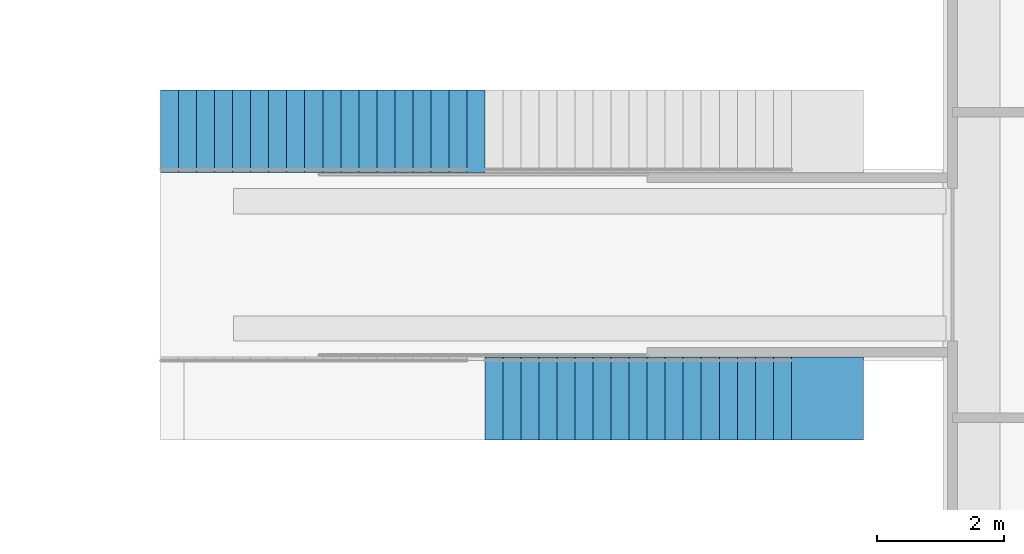
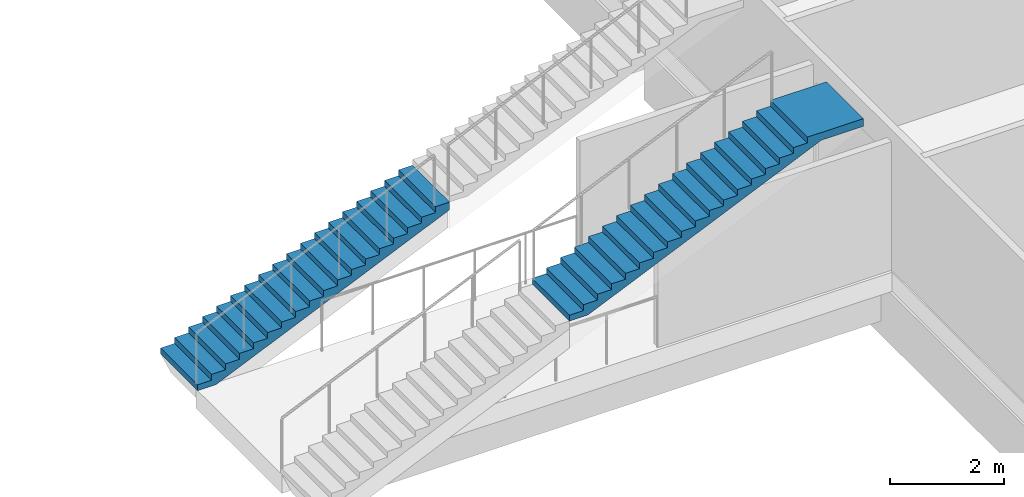
# One storey, part 98 of 175: 2 stair flights, 2 elements without a shape of their own.
"""IFC4 building model written with IfcOpenShell, lengths in metres."""

from ifc_helpers import new_model, si_unit, direction, frame, origin, place, context, subcontext, project, spatial, faceted_brep, material, type_object, element, aggregate, save


model = new_model("IFC4")

# Units and contexts
model_context = context("Model", 3, precision=1e-05, world=origin(), true_north=direction((0.0, 1.0)))
body_context = subcontext(model_context, "Body", "Model", "MODEL_VIEW")
ifc_project = project(units=[si_unit("LENGTHUNIT", "METRE"), si_unit("AREAUNIT", "SQUARE_METRE"), si_unit("VOLUMEUNIT", "CUBIC_METRE"), si_unit("PLANEANGLEUNIT", "RADIAN"), si_unit("MASSUNIT", "GRAM", prefix="KILO")], contexts=[model_context])

# Site, building, storey
site_placement = place(None, origin())
site = spatial("IfcSite", under=ifc_project, at=site_placement, CompositionType="ELEMENT")
building_placement = place(site_placement, origin())
building = spatial("IfcBuilding", under=site, at=building_placement, Name="Ogive Plaza Stadium", CompositionType="ELEMENT")
storey_placement = place(building_placement, origin())
storey = spatial("IfcBuildingStorey", under=building, at=storey_placement, Name="L00", CompositionType="ELEMENT", Elevation=0.0)

# Stair, stair flight
ifc_material_1 = material(Name="Concrete C40/50", Category="concrete")
stair_type = type_object("IfcStairType", Name="Aisle stair", PredefinedType="STRAIGHT_RUN_STAIR", material=ifc_material_1)
stair_1_placement = place(storey_placement, origin())
stair_1 = element("IfcStair", 1, at=stair_1_placement, inside=storey, type_object=stair_type, Name="Aisle stair SA05L", PredefinedType="STRAIGHT_RUN_STAIR")
ifc_material_2 = material(Name="Concrete C40/50", Category="concrete")
stair_flight_type = type_object("IfcStairFlightType", Name="Aisle stair flight", PredefinedType="STRAIGHT", material=ifc_material_2)
stair_flight_1_placement = place(storey_placement, frame((54.25, -17.10009765625, 2.25), z_axis=(0.0, 0.0, 1.0), x_axis=(1.0, 0.0, 0.0)))
stair_flight_1 = element("IfcStairFlight", 2, at=stair_flight_1_placement, type_object=stair_flight_type, Name="SA05L flight 2", NumberOfRisers=18, NumberOfTreads=17, PredefinedType="STRAIGHT", RiserHeight=0.125, TreadLength=0.283333333, context=body_context, shape_type="Brep", body=[
    faceted_brep([(0.371337890625, -0.64990234375, 0.0), (5.10009765625, -0.64990234375, 2.086181640625), (5.949951171875, -0.64990234375, 2.086181640625), (5.949951171875, -0.64990234375, 2.25), (4.816650390625, -0.64990234375, 2.25), (4.816650390625, -0.64990234375, 2.125), (4.533447265625, -0.64990234375, 2.125), (4.533447265625, -0.64990234375, 2.0), (4.25, -0.64990234375, 2.0), (4.25, -0.64990234375, 1.875), (3.966552734375, -0.64990234375, 1.875), (3.966552734375, -0.64990234375, 1.75), (3.683349609375, -0.64990234375, 1.75), (3.683349609375, -0.64990234375, 1.625), (3.39990234375, -0.64990234375, 1.625), (3.39990234375, -0.64990234375, 1.5), (3.11669921875, -0.64990234375, 1.5), (3.11669921875, -0.64990234375, 1.375), (2.833251953125, -0.64990234375, 1.375), (2.833251953125, -0.64990234375, 1.25), (2.550048828125, -0.64990234375, 1.25), (2.550048828125, -0.64990234375, 1.125), (2.2666015625, -0.64990234375, 1.125), (2.2666015625, -0.64990234375, 1.0), (1.9833984375, -0.64990234375, 1.0), (1.9833984375, -0.64990234375, 0.875), (1.699951171875, -0.64990234375, 0.875), (1.699951171875, -0.64990234375, 0.75), (1.416748046875, -0.64990234375, 0.75), (1.416748046875, -0.64990234375, 0.625), (1.13330078125, -0.64990234375, 0.625), (1.13330078125, -0.64990234375, 0.5), (0.85009765625, -0.64990234375, 0.5), (0.85009765625, -0.64990234375, 0.375), (0.566650390625, -0.64990234375, 0.375), (0.566650390625, -0.64990234375, 0.25), (0.283447265625, -0.64990234375, 0.25), (0.283447265625, -0.64990234375, 0.125), (0.0, -0.64990234375, 0.125), (0.0, -0.64990234375, 0.0), (0.0, 0.64990234375, 0.0), (0.0, 0.64990234375, 0.125), (0.283447265625, 0.64990234375, 0.125), (0.283447265625, 0.64990234375, 0.25), (0.566650390625, 0.64990234375, 0.25), (0.566650390625, 0.64990234375, 0.375), (0.85009765625, 0.64990234375, 0.375), (0.85009765625, 0.64990234375, 0.5), (1.13330078125, 0.64990234375, 0.5), (1.13330078125, 0.64990234375, 0.625), (1.416748046875, 0.64990234375, 0.625), (1.416748046875, 0.64990234375, 0.75), (1.699951171875, 0.64990234375, 0.75), (1.699951171875, 0.64990234375, 0.875), (1.9833984375, 0.64990234375, 0.875), (1.9833984375, 0.64990234375, 1.0), (2.2666015625, 0.64990234375, 1.0), (2.2666015625, 0.64990234375, 1.125), (2.550048828125, 0.64990234375, 1.125), (2.550048828125, 0.64990234375, 1.25), (2.833251953125, 0.64990234375, 1.25), (2.833251953125, 0.64990234375, 1.375), (3.11669921875, 0.64990234375, 1.375), (3.11669921875, 0.64990234375, 1.5), (3.39990234375, 0.64990234375, 1.5), (3.39990234375, 0.64990234375, 1.625), (3.683349609375, 0.64990234375, 1.625), (3.683349609375, 0.64990234375, 1.75), (3.966552734375, 0.64990234375, 1.75), (3.966552734375, 0.64990234375, 1.875), (4.25, 0.64990234375, 1.875), (4.25, 0.64990234375, 2.0), (4.533447265625, 0.64990234375, 2.0), (4.533447265625, 0.64990234375, 2.125), (4.816650390625, 0.64990234375, 2.125), (4.816650390625, 0.64990234375, 2.25), (5.949951171875, 0.64990234375, 2.25), (5.949951171875, 0.64990234375, 2.086181640625), (5.10009765625, 0.64990234375, 2.086181640625), (0.371337890625, 0.64990234375, 0.0), (0.371337890625, -0.324951171875, 0.0), (5.10009765625, -0.324951171875, 2.086181640625), (0.371337890625, 0.0, 0.0), (5.10009765625, 0.0, 2.086181640625), (0.371337890625, 0.324951171875, 0.0), (5.10009765625, 0.324951171875, 2.086181640625), (5.949951171875, -0.324951171875, 2.086181640625), (5.949951171875, 0.0, 2.086181640625), (5.949951171875, 0.324951171875, 2.086181640625), (5.949951171875, -0.324951171875, 2.25), (5.949951171875, 0.0, 2.25), (5.949951171875, 0.324951171875, 2.25), (4.816650390625, -0.324951171875, 2.25), (4.816650390625, 0.0, 2.25), (4.816650390625, 0.324951171875, 2.25), (4.816650390625, -0.324951171875, 2.125), (4.816650390625, 0.0, 2.125), (4.816650390625, 0.324951171875, 2.125), (4.533447265625, -0.324951171875, 2.125), (4.533447265625, 0.0, 2.125), (4.533447265625, 0.324951171875, 2.125), (4.533447265625, -0.324951171875, 2.0), (4.533447265625, 0.0, 2.0), (4.533447265625, 0.324951171875, 2.0), (4.25, -0.324951171875, 2.0), (4.25, 0.0, 2.0), (4.25, 0.324951171875, 2.0), (4.25, -0.324951171875, 1.875), (4.25, 0.0, 1.875), (4.25, 0.324951171875, 1.875), (3.966552734375, -0.324951171875, 1.875), (3.966552734375, 0.0, 1.875), (3.966552734375, 0.324951171875, 1.875), (3.966552734375, -0.324951171875, 1.75), (3.966552734375, 0.0, 1.75), (3.966552734375, 0.324951171875, 1.75), (3.683349609375, -0.324951171875, 1.75), (3.683349609375, 0.0, 1.75), (3.683349609375, 0.324951171875, 1.75), (3.683349609375, -0.324951171875, 1.625), (3.683349609375, 0.0, 1.625), (3.683349609375, 0.324951171875, 1.625), (3.39990234375, -0.324951171875, 1.625), (3.39990234375, 0.0, 1.625), (3.39990234375, 0.324951171875, 1.625), (3.39990234375, -0.324951171875, 1.5), (3.39990234375, 0.0, 1.5), (3.39990234375, 0.324951171875, 1.5), (3.11669921875, -0.324951171875, 1.5), (3.11669921875, 0.0, 1.5), (3.11669921875, 0.324951171875, 1.5), (3.11669921875, -0.324951171875, 1.375), (3.11669921875, 0.0, 1.375), (3.11669921875, 0.324951171875, 1.375), (2.833251953125, -0.324951171875, 1.375), (2.833251953125, 0.0, 1.375), (2.833251953125, 0.324951171875, 1.375), (2.833251953125, -0.324951171875, 1.25), (2.833251953125, 0.0, 1.25), (2.833251953125, 0.324951171875, 1.25), (2.550048828125, -0.324951171875, 1.25), (2.550048828125, 0.0, 1.25), (2.550048828125, 0.324951171875, 1.25), (2.550048828125, -0.324951171875, 1.125), (2.550048828125, 0.0, 1.125), (2.550048828125, 0.324951171875, 1.125), (2.2666015625, -0.324951171875, 1.125), (2.2666015625, 0.0, 1.125), (2.2666015625, 0.324951171875, 1.125), (2.2666015625, -0.324951171875, 1.0), (2.2666015625, 0.0, 1.0), (2.2666015625, 0.324951171875, 1.0), (1.9833984375, -0.324951171875, 1.0), (1.9833984375, 0.0, 1.0), (1.9833984375, 0.324951171875, 1.0), (1.9833984375, -0.324951171875, 0.875), (1.9833984375, 0.0, 0.875), (1.9833984375, 0.324951171875, 0.875), (1.699951171875, -0.324951171875, 0.875), (1.699951171875, 0.0, 0.875), (1.699951171875, 0.324951171875, 0.875), (1.699951171875, -0.324951171875, 0.75), (1.699951171875, 0.0, 0.75), (1.699951171875, 0.324951171875, 0.75), (1.416748046875, -0.324951171875, 0.75), (1.416748046875, 0.0, 0.75), (1.416748046875, 0.324951171875, 0.75), (1.416748046875, -0.324951171875, 0.625), (1.416748046875, 0.0, 0.625), (1.416748046875, 0.324951171875, 0.625), (1.13330078125, -0.324951171875, 0.625), (1.13330078125, 0.0, 0.625), (1.13330078125, 0.324951171875, 0.625), (1.13330078125, -0.324951171875, 0.5), (1.13330078125, 0.0, 0.5), (1.13330078125, 0.324951171875, 0.5), (0.85009765625, -0.324951171875, 0.5), (0.85009765625, 0.0, 0.5), (0.85009765625, 0.324951171875, 0.5), (0.85009765625, -0.324951171875, 0.375), (0.85009765625, 0.0, 0.375), (0.85009765625, 0.324951171875, 0.375), (0.566650390625, -0.324951171875, 0.375), (0.566650390625, 0.0, 0.375), (0.566650390625, 0.324951171875, 0.375), (0.566650390625, -0.324951171875, 0.25), (0.566650390625, 0.0, 0.25), (0.566650390625, 0.324951171875, 0.25), (0.283447265625, -0.324951171875, 0.25), (0.283447265625, 0.0, 0.25), (0.283447265625, 0.324951171875, 0.25), (0.283447265625, -0.324951171875, 0.125), (0.283447265625, 0.0, 0.125), (0.283447265625, 0.324951171875, 0.125), (0.0, -0.324951171875, 0.125), (0.0, 0.0, 0.125), (0.0, 0.324951171875, 0.125), (0.0, -0.324951171875, 0.0), (0.0, 0.0, 0.0), (0.0, 0.324951171875, 0.0)], [[[0, 1, 2, 3, 4, 5, 6, 7, 8, 9, 10, 11, 12, 13, 14, 15, 16, 17, 18, 19, 20, 21, 22, 23, 24, 25, 26, 27, 28, 29, 30, 31, 32, 33, 34, 35, 36, 37, 38, 39]], [[40, 41, 42, 43, 44, 45, 46, 47, 48, 49, 50, 51, 52, 53, 54, 55, 56, 57, 58, 59, 60, 61, 62, 63, 64, 65, 66, 67, 68, 69, 70, 71, 72, 73, 74, 75, 76, 77, 78, 79]], [[0, 80, 81, 1]], [[80, 82, 83, 81]], [[82, 84, 85, 83]], [[84, 79, 78, 85]], [[1, 81, 86, 2]], [[81, 83, 87, 86]], [[83, 85, 88, 87]], [[85, 78, 77, 88]], [[2, 86, 89, 3]], [[86, 87, 90, 89]], [[87, 88, 91, 90]], [[88, 77, 76, 91]], [[3, 89, 92, 4]], [[89, 90, 93, 92]], [[90, 91, 94, 93]], [[91, 76, 75, 94]], [[4, 92, 95, 5]], [[92, 93, 96, 95]], [[93, 94, 97, 96]], [[94, 75, 74, 97]], [[5, 95, 98, 6]], [[95, 96, 99, 98]], [[96, 97, 100, 99]], [[97, 74, 73, 100]], [[6, 98, 101, 7]], [[98, 99, 102, 101]], [[99, 100, 103, 102]], [[100, 73, 72, 103]], [[7, 101, 104, 8]], [[101, 102, 105, 104]], [[102, 103, 106, 105]], [[103, 72, 71, 106]], [[8, 104, 107, 9]], [[104, 105, 108, 107]], [[105, 106, 109, 108]], [[106, 71, 70, 109]], [[9, 107, 110, 10]], [[107, 108, 111, 110]], [[108, 109, 112, 111]], [[109, 70, 69, 112]], [[10, 110, 113, 11]], [[110, 111, 114, 113]], [[111, 112, 115, 114]], [[112, 69, 68, 115]], [[11, 113, 116, 12]], [[113, 114, 117, 116]], [[114, 115, 118, 117]], [[115, 68, 67, 118]], [[12, 116, 119, 13]], [[116, 117, 120, 119]], [[117, 118, 121, 120]], [[118, 67, 66, 121]], [[13, 119, 122, 14]], [[119, 120, 123, 122]], [[120, 121, 124, 123]], [[121, 66, 65, 124]], [[14, 122, 125, 15]], [[122, 123, 126, 125]], [[123, 124, 127, 126]], [[124, 65, 64, 127]], [[15, 125, 128, 16]], [[125, 126, 129, 128]], [[126, 127, 130, 129]], [[127, 64, 63, 130]], [[16, 128, 131, 17]], [[128, 129, 132, 131]], [[129, 130, 133, 132]], [[130, 63, 62, 133]], [[17, 131, 134, 18]], [[131, 132, 135, 134]], [[132, 133, 136, 135]], [[133, 62, 61, 136]], [[18, 134, 137, 19]], [[134, 135, 138, 137]], [[135, 136, 139, 138]], [[136, 61, 60, 139]], [[19, 137, 140, 20]], [[137, 138, 141, 140]], [[138, 139, 142, 141]], [[139, 60, 59, 142]], [[20, 140, 143, 21]], [[140, 141, 144, 143]], [[141, 142, 145, 144]], [[142, 59, 58, 145]], [[21, 143, 146, 22]], [[143, 144, 147, 146]], [[144, 145, 148, 147]], [[145, 58, 57, 148]], [[22, 146, 149, 23]], [[146, 147, 150, 149]], [[147, 148, 151, 150]], [[148, 57, 56, 151]], [[23, 149, 152, 24]], [[149, 150, 153, 152]], [[150, 151, 154, 153]], [[151, 56, 55, 154]], [[24, 152, 155, 25]], [[152, 153, 156, 155]], [[153, 154, 157, 156]], [[154, 55, 54, 157]], [[25, 155, 158, 26]], [[155, 156, 159, 158]], [[156, 157, 160, 159]], [[157, 54, 53, 160]], [[26, 158, 161, 27]], [[158, 159, 162, 161]], [[159, 160, 163, 162]], [[160, 53, 52, 163]], [[27, 161, 164, 28]], [[161, 162, 165, 164]], [[162, 163, 166, 165]], [[163, 52, 51, 166]], [[28, 164, 167, 29]], [[164, 165, 168, 167]], [[165, 166, 169, 168]], [[166, 51, 50, 169]], [[29, 167, 170, 30]], [[167, 168, 171, 170]], [[168, 169, 172, 171]], [[169, 50, 49, 172]], [[30, 170, 173, 31]], [[170, 171, 174, 173]], [[171, 172, 175, 174]], [[172, 49, 48, 175]], [[31, 173, 176, 32]], [[173, 174, 177, 176]], [[174, 175, 178, 177]], [[175, 48, 47, 178]], [[32, 176, 179, 33]], [[176, 177, 180, 179]], [[177, 178, 181, 180]], [[178, 47, 46, 181]], [[33, 179, 182, 34]], [[179, 180, 183, 182]], [[180, 181, 184, 183]], [[181, 46, 45, 184]], [[34, 182, 185, 35]], [[182, 183, 186, 185]], [[183, 184, 187, 186]], [[184, 45, 44, 187]], [[35, 185, 188, 36]], [[185, 186, 189, 188]], [[186, 187, 190, 189]], [[187, 44, 43, 190]], [[36, 188, 191, 37]], [[188, 189, 192, 191]], [[189, 190, 193, 192]], [[190, 43, 42, 193]], [[37, 191, 194, 38]], [[191, 192, 195, 194]], [[192, 193, 196, 195]], [[193, 42, 41, 196]], [[38, 194, 197, 39]], [[194, 195, 198, 197]], [[195, 196, 199, 198]], [[196, 41, 40, 199]], [[39, 197, 80, 0]], [[197, 198, 82, 80]], [[198, 199, 84, 82]], [[199, 40, 79, 84]]]),
])
aggregate(stair_1, [stair_flight_1])

stair_2_placement = place(storey_placement, origin())
stair_2 = element("IfcStair", 3, at=stair_2_placement, inside=storey, type_object=stair_type, Name="Aisle stair SA05R", PredefinedType="STRAIGHT_RUN_STAIR")
stair_flight_2_placement = place(storey_placement, frame((49.14990234375, -12.89990234375, 0.0), z_axis=(0.0, 0.0, 1.0), x_axis=(1.0, 0.0, 0.0)))
stair_flight_2 = element("IfcStairFlight", 4, at=stair_flight_2_placement, type_object=stair_flight_type, Name="SA05R flight 1", NumberOfRisers=18, NumberOfTreads=17, PredefinedType="STRAIGHT", RiserHeight=0.125, TreadLength=0.283333333, context=body_context, shape_type="Brep", body=[
    faceted_brep([(0.371337890625, -0.64990234375, 0.0), (5.10009765625, -0.64990234375, 2.086181640625), (5.10009765625, -0.64990234375, 2.25), (4.816650390625, -0.64990234375, 2.25), (4.816650390625, -0.64990234375, 2.125), (4.533447265625, -0.64990234375, 2.125), (4.533447265625, -0.64990234375, 2.0), (4.25, -0.64990234375, 2.0), (4.25, -0.64990234375, 1.875), (3.966552734375, -0.64990234375, 1.875), (3.966552734375, -0.64990234375, 1.75), (3.683349609375, -0.64990234375, 1.75), (3.683349609375, -0.64990234375, 1.625), (3.39990234375, -0.64990234375, 1.625), (3.39990234375, -0.64990234375, 1.5), (3.11669921875, -0.64990234375, 1.5), (3.11669921875, -0.64990234375, 1.375), (2.833251953125, -0.64990234375, 1.375), (2.833251953125, -0.64990234375, 1.25), (2.550048828125, -0.64990234375, 1.25), (2.550048828125, -0.64990234375, 1.125), (2.2666015625, -0.64990234375, 1.125), (2.2666015625, -0.64990234375, 1.0), (1.9833984375, -0.64990234375, 1.0), (1.9833984375, -0.64990234375, 0.875), (1.699951171875, -0.64990234375, 0.875), (1.699951171875, -0.64990234375, 0.75), (1.416748046875, -0.64990234375, 0.75), (1.416748046875, -0.64990234375, 0.625), (1.13330078125, -0.64990234375, 0.625), (1.13330078125, -0.64990234375, 0.5), (0.85009765625, -0.64990234375, 0.5), (0.85009765625, -0.64990234375, 0.375), (0.566650390625, -0.64990234375, 0.375), (0.566650390625, -0.64990234375, 0.25), (0.283447265625, -0.64990234375, 0.25), (0.283447265625, -0.64990234375, 0.125), (0.0, -0.64990234375, 0.125), (0.0, -0.64990234375, 0.0), (0.0, 0.64990234375, 0.0), (0.0, 0.64990234375, 0.125), (0.283447265625, 0.64990234375, 0.125), (0.283447265625, 0.64990234375, 0.25), (0.566650390625, 0.64990234375, 0.25), (0.566650390625, 0.64990234375, 0.375), (0.85009765625, 0.64990234375, 0.375), (0.85009765625, 0.64990234375, 0.5), (1.13330078125, 0.64990234375, 0.5), (1.13330078125, 0.64990234375, 0.625), (1.416748046875, 0.64990234375, 0.625), (1.416748046875, 0.64990234375, 0.75), (1.699951171875, 0.64990234375, 0.75), (1.699951171875, 0.64990234375, 0.875), (1.9833984375, 0.64990234375, 0.875), (1.9833984375, 0.64990234375, 1.0), (2.2666015625, 0.64990234375, 1.0), (2.2666015625, 0.64990234375, 1.125), (2.550048828125, 0.64990234375, 1.125), (2.550048828125, 0.64990234375, 1.25), (2.833251953125, 0.64990234375, 1.25), (2.833251953125, 0.64990234375, 1.375), (3.11669921875, 0.64990234375, 1.375), (3.11669921875, 0.64990234375, 1.5), (3.39990234375, 0.64990234375, 1.5), (3.39990234375, 0.64990234375, 1.625), (3.683349609375, 0.64990234375, 1.625), (3.683349609375, 0.64990234375, 1.75), (3.966552734375, 0.64990234375, 1.75), (3.966552734375, 0.64990234375, 1.875), (4.25, 0.64990234375, 1.875), (4.25, 0.64990234375, 2.0), (4.533447265625, 0.64990234375, 2.0), (4.533447265625, 0.64990234375, 2.125), (4.816650390625, 0.64990234375, 2.125), (4.816650390625, 0.64990234375, 2.25), (5.10009765625, 0.64990234375, 2.25), (5.10009765625, 0.64990234375, 2.086181640625), (0.371337890625, 0.64990234375, 0.0), (0.371337890625, -0.324951171875, 0.0), (5.10009765625, -0.324951171875, 2.086181640625), (0.371337890625, 0.0, 0.0), (5.10009765625, 0.0, 2.086181640625), (0.371337890625, 0.324951171875, 0.0), (5.10009765625, 0.324951171875, 2.086181640625), (5.10009765625, -0.324951171875, 2.25), (5.10009765625, 0.0, 2.25), (5.10009765625, 0.324951171875, 2.25), (4.816650390625, -0.324951171875, 2.25), (4.816650390625, 0.0, 2.25), (4.816650390625, 0.324951171875, 2.25), (4.816650390625, -0.324951171875, 2.125), (4.816650390625, 0.0, 2.125), (4.816650390625, 0.324951171875, 2.125), (4.533447265625, -0.324951171875, 2.125), (4.533447265625, 0.0, 2.125), (4.533447265625, 0.324951171875, 2.125), (4.533447265625, -0.324951171875, 2.0), (4.533447265625, 0.0, 2.0), (4.533447265625, 0.324951171875, 2.0), (4.25, -0.324951171875, 2.0), (4.25, 0.0, 2.0), (4.25, 0.324951171875, 2.0), (4.25, -0.324951171875, 1.875), (4.25, 0.0, 1.875), (4.25, 0.324951171875, 1.875), (3.966552734375, -0.324951171875, 1.875), (3.966552734375, 0.0, 1.875), (3.966552734375, 0.324951171875, 1.875), (3.966552734375, -0.324951171875, 1.75), (3.966552734375, 0.0, 1.75), (3.966552734375, 0.324951171875, 1.75), (3.683349609375, -0.324951171875, 1.75), (3.683349609375, 0.0, 1.75), (3.683349609375, 0.324951171875, 1.75), (3.683349609375, -0.324951171875, 1.625), (3.683349609375, 0.0, 1.625), (3.683349609375, 0.324951171875, 1.625), (3.39990234375, -0.324951171875, 1.625), (3.39990234375, 0.0, 1.625), (3.39990234375, 0.324951171875, 1.625), (3.39990234375, -0.324951171875, 1.5), (3.39990234375, 0.0, 1.5), (3.39990234375, 0.324951171875, 1.5), (3.11669921875, -0.324951171875, 1.5), (3.11669921875, 0.0, 1.5), (3.11669921875, 0.324951171875, 1.5), (3.11669921875, -0.324951171875, 1.375), (3.11669921875, 0.0, 1.375), (3.11669921875, 0.324951171875, 1.375), (2.833251953125, -0.324951171875, 1.375), (2.833251953125, 0.0, 1.375), (2.833251953125, 0.324951171875, 1.375), (2.833251953125, -0.324951171875, 1.25), (2.833251953125, 0.0, 1.25), (2.833251953125, 0.324951171875, 1.25), (2.550048828125, -0.324951171875, 1.25), (2.550048828125, 0.0, 1.25), (2.550048828125, 0.324951171875, 1.25), (2.550048828125, -0.324951171875, 1.125), (2.550048828125, 0.0, 1.125), (2.550048828125, 0.324951171875, 1.125), (2.2666015625, -0.324951171875, 1.125), (2.2666015625, 0.0, 1.125), (2.2666015625, 0.324951171875, 1.125), (2.2666015625, -0.324951171875, 1.0), (2.2666015625, 0.0, 1.0), (2.2666015625, 0.324951171875, 1.0), (1.9833984375, -0.324951171875, 1.0), (1.9833984375, 0.0, 1.0), (1.9833984375, 0.324951171875, 1.0), (1.9833984375, -0.324951171875, 0.875), (1.9833984375, 0.0, 0.875), (1.9833984375, 0.324951171875, 0.875), (1.699951171875, -0.324951171875, 0.875), (1.699951171875, 0.0, 0.875), (1.699951171875, 0.324951171875, 0.875), (1.699951171875, -0.324951171875, 0.75), (1.699951171875, 0.0, 0.75), (1.699951171875, 0.324951171875, 0.75), (1.416748046875, -0.324951171875, 0.75), (1.416748046875, 0.0, 0.75), (1.416748046875, 0.324951171875, 0.75), (1.416748046875, -0.324951171875, 0.625), (1.416748046875, 0.0, 0.625), (1.416748046875, 0.324951171875, 0.625), (1.13330078125, -0.324951171875, 0.625), (1.13330078125, 0.0, 0.625), (1.13330078125, 0.324951171875, 0.625), (1.13330078125, -0.324951171875, 0.5), (1.13330078125, 0.0, 0.5), (1.13330078125, 0.324951171875, 0.5), (0.85009765625, -0.324951171875, 0.5), (0.85009765625, 0.0, 0.5), (0.85009765625, 0.324951171875, 0.5), (0.85009765625, -0.324951171875, 0.375), (0.85009765625, 0.0, 0.375), (0.85009765625, 0.324951171875, 0.375), (0.566650390625, -0.324951171875, 0.375), (0.566650390625, 0.0, 0.375), (0.566650390625, 0.324951171875, 0.375), (0.566650390625, -0.324951171875, 0.25), (0.566650390625, 0.0, 0.25), (0.566650390625, 0.324951171875, 0.25), (0.283447265625, -0.324951171875, 0.25), (0.283447265625, 0.0, 0.25), (0.283447265625, 0.324951171875, 0.25), (0.283447265625, -0.324951171875, 0.125), (0.283447265625, 0.0, 0.125), (0.283447265625, 0.324951171875, 0.125), (0.0, -0.324951171875, 0.125), (0.0, 0.0, 0.125), (0.0, 0.324951171875, 0.125), (0.0, -0.324951171875, 0.0), (0.0, 0.0, 0.0), (0.0, 0.324951171875, 0.0)], [[[0, 1, 2, 3, 4, 5, 6, 7, 8, 9, 10, 11, 12, 13, 14, 15, 16, 17, 18, 19, 20, 21, 22, 23, 24, 25, 26, 27, 28, 29, 30, 31, 32, 33, 34, 35, 36, 37, 38]], [[39, 40, 41, 42, 43, 44, 45, 46, 47, 48, 49, 50, 51, 52, 53, 54, 55, 56, 57, 58, 59, 60, 61, 62, 63, 64, 65, 66, 67, 68, 69, 70, 71, 72, 73, 74, 75, 76, 77]], [[0, 78, 79, 1]], [[78, 80, 81, 79]], [[80, 82, 83, 81]], [[82, 77, 76, 83]], [[1, 79, 84, 2]], [[79, 81, 85, 84]], [[81, 83, 86, 85]], [[83, 76, 75, 86]], [[2, 84, 87, 3]], [[84, 85, 88, 87]], [[85, 86, 89, 88]], [[86, 75, 74, 89]], [[3, 87, 90, 4]], [[87, 88, 91, 90]], [[88, 89, 92, 91]], [[89, 74, 73, 92]], [[4, 90, 93, 5]], [[90, 91, 94, 93]], [[91, 92, 95, 94]], [[92, 73, 72, 95]], [[5, 93, 96, 6]], [[93, 94, 97, 96]], [[94, 95, 98, 97]], [[95, 72, 71, 98]], [[6, 96, 99, 7]], [[96, 97, 100, 99]], [[97, 98, 101, 100]], [[98, 71, 70, 101]], [[7, 99, 102, 8]], [[99, 100, 103, 102]], [[100, 101, 104, 103]], [[101, 70, 69, 104]], [[8, 102, 105, 9]], [[102, 103, 106, 105]], [[103, 104, 107, 106]], [[104, 69, 68, 107]], [[9, 105, 108, 10]], [[105, 106, 109, 108]], [[106, 107, 110, 109]], [[107, 68, 67, 110]], [[10, 108, 111, 11]], [[108, 109, 112, 111]], [[109, 110, 113, 112]], [[110, 67, 66, 113]], [[11, 111, 114, 12]], [[111, 112, 115, 114]], [[112, 113, 116, 115]], [[113, 66, 65, 116]], [[12, 114, 117, 13]], [[114, 115, 118, 117]], [[115, 116, 119, 118]], [[116, 65, 64, 119]], [[13, 117, 120, 14]], [[117, 118, 121, 120]], [[118, 119, 122, 121]], [[119, 64, 63, 122]], [[14, 120, 123, 15]], [[120, 121, 124, 123]], [[121, 122, 125, 124]], [[122, 63, 62, 125]], [[15, 123, 126, 16]], [[123, 124, 127, 126]], [[124, 125, 128, 127]], [[125, 62, 61, 128]], [[16, 126, 129, 17]], [[126, 127, 130, 129]], [[127, 128, 131, 130]], [[128, 61, 60, 131]], [[17, 129, 132, 18]], [[129, 130, 133, 132]], [[130, 131, 134, 133]], [[131, 60, 59, 134]], [[18, 132, 135, 19]], [[132, 133, 136, 135]], [[133, 134, 137, 136]], [[134, 59, 58, 137]], [[19, 135, 138, 20]], [[135, 136, 139, 138]], [[136, 137, 140, 139]], [[137, 58, 57, 140]], [[20, 138, 141, 21]], [[138, 139, 142, 141]], [[139, 140, 143, 142]], [[140, 57, 56, 143]], [[21, 141, 144, 22]], [[141, 142, 145, 144]], [[142, 143, 146, 145]], [[143, 56, 55, 146]], [[22, 144, 147, 23]], [[144, 145, 148, 147]], [[145, 146, 149, 148]], [[146, 55, 54, 149]], [[23, 147, 150, 24]], [[147, 148, 151, 150]], [[148, 149, 152, 151]], [[149, 54, 53, 152]], [[24, 150, 153, 25]], [[150, 151, 154, 153]], [[151, 152, 155, 154]], [[152, 53, 52, 155]], [[25, 153, 156, 26]], [[153, 154, 157, 156]], [[154, 155, 158, 157]], [[155, 52, 51, 158]], [[26, 156, 159, 27]], [[156, 157, 160, 159]], [[157, 158, 161, 160]], [[158, 51, 50, 161]], [[27, 159, 162, 28]], [[159, 160, 163, 162]], [[160, 161, 164, 163]], [[161, 50, 49, 164]], [[28, 162, 165, 29]], [[162, 163, 166, 165]], [[163, 164, 167, 166]], [[164, 49, 48, 167]], [[29, 165, 168, 30]], [[165, 166, 169, 168]], [[166, 167, 170, 169]], [[167, 48, 47, 170]], [[30, 168, 171, 31]], [[168, 169, 172, 171]], [[169, 170, 173, 172]], [[170, 47, 46, 173]], [[31, 171, 174, 32]], [[171, 172, 175, 174]], [[172, 173, 176, 175]], [[173, 46, 45, 176]], [[32, 174, 177, 33]], [[174, 175, 178, 177]], [[175, 176, 179, 178]], [[176, 45, 44, 179]], [[33, 177, 180, 34]], [[177, 178, 181, 180]], [[178, 179, 182, 181]], [[179, 44, 43, 182]], [[34, 180, 183, 35]], [[180, 181, 184, 183]], [[181, 182, 185, 184]], [[182, 43, 42, 185]], [[35, 183, 186, 36]], [[183, 184, 187, 186]], [[184, 185, 188, 187]], [[185, 42, 41, 188]], [[36, 186, 189, 37]], [[186, 187, 190, 189]], [[187, 188, 191, 190]], [[188, 41, 40, 191]], [[37, 189, 192, 38]], [[189, 190, 193, 192]], [[190, 191, 194, 193]], [[191, 40, 39, 194]], [[38, 192, 78, 0]], [[192, 193, 80, 78]], [[193, 194, 82, 80]], [[194, 39, 77, 82]]]),
])
aggregate(stair_2, [stair_flight_2])

save(model, "model.ifc")
